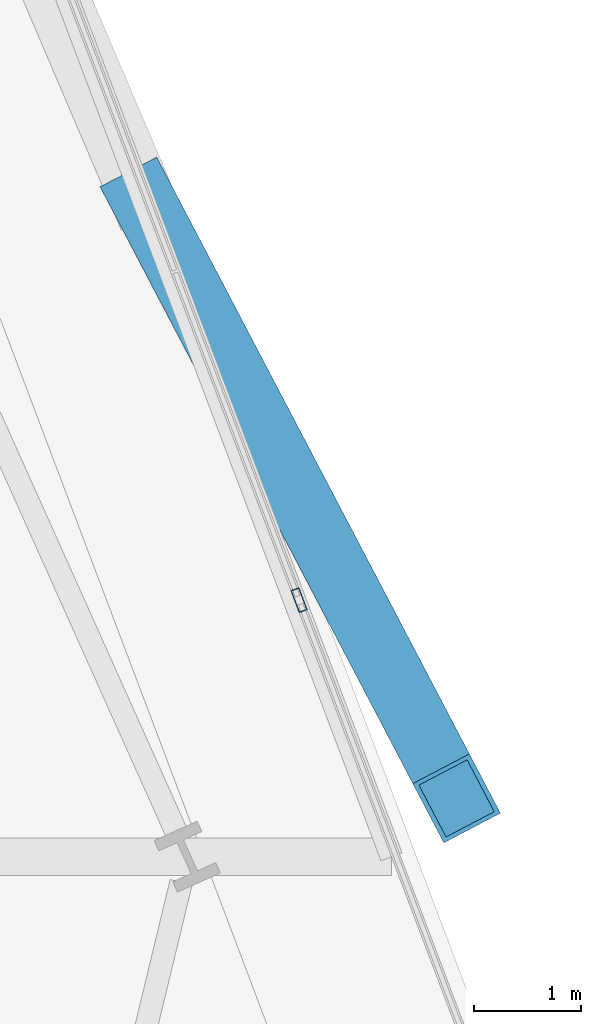
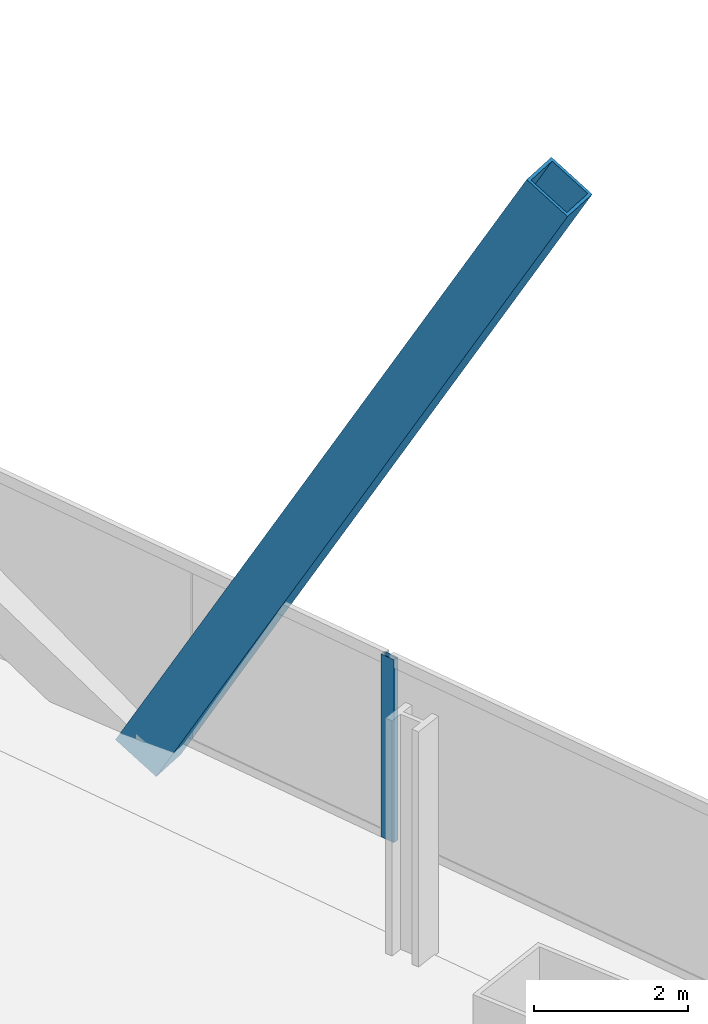
# One storey, part 15 of 37: 2 members, 1 element without a shape of its own.
"""IFC4 building model written with IfcOpenShell, lengths in metres."""

import ifcopenshell
import ifcopenshell.guid

model = None  # the IFC model being written
_history = None  # IfcOwnerHistory: only IFC2X3 demands one
_inside = {}  # id of a spatial element -> (the spatial element, [elements in it])
_under = {}  # id of a project, library or spatial element -> (it, [spatial elements below it])
_declared = {}  # id of a project -> (the project, [libraries it declares])
_typed = {}  # id of a type object -> (the type object, [elements of that type])
_made_of = {}  # id of a material, layer set ... -> (it, [elements and type objects made of it])


def new_model(schema):
    """Start an empty IFC model of exactly this schema.

    Asked for "IFC4X3", IfcOpenShell would pick the latest addendum, in which some entities
    have other attributes; the version numbers below select the first issue.
    IFC2X3 requires an IfcOwnerHistory on every rooted entity: one is made here for all.
    """
    global model, _history
    if schema == "IFC4X3":
        model = ifcopenshell.file(schema_version=(4, 3, 0, 0))
    else:
        model = ifcopenshell.file(schema=schema)
    _inside.clear()
    _under.clear()
    _declared.clear()
    _typed.clear()
    _made_of.clear()
    _history = None
    if model.schema == "IFC2X3":
        org = make("IfcOrganization", Name="unknown")
        user = make(
            "IfcPersonAndOrganization",
            ThePerson=make("IfcPerson", FamilyName="unknown"),
            TheOrganization=org,
        )
        app = make(
            "IfcApplication",
            ApplicationDeveloper=org,
            Version="unknown",
            ApplicationFullName="unknown",
            ApplicationIdentifier="unknown",
        )
        _history = make(
            "IfcOwnerHistory",
            OwningUser=user,
            OwningApplication=app,
            ChangeAction="ADDED",
            CreationDate=0,
        )
    return model


def make(cls, **values):
    """One entity of the class cls with the attributes given. An attribute that is None is left unset."""
    return model.create_entity(
        cls, **{name: value for name, value in values.items() if value is not None}
    )


def rooted(cls, **values):
    """An entity with a GlobalId (a new one), such as an element, a storey or a relation."""
    return make(cls, GlobalId=ifcopenshell.guid.new(), OwnerHistory=_history, **values)


def si_unit(unit_type, name, prefix=None):
    """IfcSIUnit, for example si_unit("LENGTHUNIT", "METRE", prefix="MILLI")."""
    return make("IfcSIUnit", UnitType=unit_type, Prefix=prefix, Name=name)


def assignment(units):
    """IfcUnitAssignment: the units of a project."""
    return None if units is None else make("IfcUnitAssignment", Units=units)


def point(xyz):
    """IfcCartesianPoint."""
    return None if xyz is None else make("IfcCartesianPoint", Coordinates=xyz)


def direction(xyz):
    """IfcDirection."""
    return None if xyz is None else make("IfcDirection", DirectionRatios=xyz)


def frame(location, z_axis=None, x_axis=None):
    """IfcAxis2Placement3D, a coordinate frame: its origin and axes. An axis left out is left unset."""
    return make(
        "IfcAxis2Placement3D",
        Location=point(location),
        Axis=direction(z_axis),
        RefDirection=direction(x_axis),
    )


def frame_2d(location, x_axis=None):
    """IfcAxis2Placement2D, a coordinate frame in the plane: its origin and x axis."""
    return make(
        "IfcAxis2Placement2D", Location=point(location), RefDirection=direction(x_axis)
    )


def origin():
    """The frame at (0, 0, 0) with its axes left unset."""
    return frame((0.0, 0.0, 0.0))


def origin_2d():
    """The frame at (0, 0) in the plane with its x axis left unset."""
    return frame_2d((0.0, 0.0))


def place(relative_to, where):
    """IfcLocalPlacement: puts the frame where relative to a parent placement (None: the world)."""
    return make(
        "IfcLocalPlacement", PlacementRelTo=relative_to, RelativePlacement=where
    )


def context(
    kind, dimensions, precision=None, world=None, true_north=None, identifier=None
):
    """IfcGeometricRepresentationContext, for example the 3D "Model" context."""
    return make(
        "IfcGeometricRepresentationContext",
        ContextIdentifier=identifier,
        ContextType=kind,
        CoordinateSpaceDimension=dimensions,
        Precision=precision,
        WorldCoordinateSystem=world,
        TrueNorth=true_north,
    )


def subcontext(parent, identifier, kind, view, scale=None):
    """IfcGeometricRepresentationSubContext, for example "Body" below "Model"."""
    return make(
        "IfcGeometricRepresentationSubContext",
        ContextIdentifier=identifier,
        ContextType=kind,
        ParentContext=parent,
        TargetScale=scale,
        TargetView=view,
    )


def project(units=None, contexts=None):
    """IfcProject with its units and contexts."""
    return rooted(
        "IfcProject",
        Name="project",
        RepresentationContexts=contexts,
        UnitsInContext=assignment(units),
    )


def spatial(cls, under=None, at=None, **own):
    """A site, building, storey or space (cls), placed at a placement, below another one or the project."""
    s = rooted(cls, ObjectPlacement=at, **own)
    if under is not None:
        _under.setdefault(under.id(), (under, []))[1].append(s)
    return s


def profile(cls, at=None, kind="AREA", **sizes):
    """A parametric profile (cls). Its sizes go by their IFC names, for example OverallWidth=200.0."""
    return make(cls, ProfileType=kind, Position=at, **sizes)


def hollow_rectangle(**sizes):
    """IfcRectangleHollowProfileDef."""
    return profile("IfcRectangleHollowProfileDef", **sizes)


def extrude(swept, where, along, depth):
    """IfcExtrudedAreaSolid: the profile swept, set in the frame where, extruded along a direction by depth."""
    return make(
        "IfcExtrudedAreaSolid",
        SweptArea=swept,
        Position=where,
        ExtrudedDirection=direction(along),
        Depth=depth,
    )


def shape(context_of_items, identifier, shape_type, items):
    """IfcShapeRepresentation: the items that make up one representation, for example the "Body"."""
    return make(
        "IfcShapeRepresentation",
        ContextOfItems=context_of_items,
        RepresentationIdentifier=identifier,
        RepresentationType=shape_type,
        Items=items,
    )


def material(Name=None, Category=None):
    """IfcMaterial."""
    return make("IfcMaterial", Name=Name, Category=Category)


def material_profile(
    of_material, cross_section, Name=None, Category=None, Priority=None
):
    """IfcMaterialProfile: a cross section and its material."""
    return make(
        "IfcMaterialProfile",
        Name=Name,
        Material=of_material,
        Profile=cross_section,
        Priority=Priority,
        Category=Category,
    )


def profile_set(profiles, Name=None, composite=None):
    """IfcMaterialProfileSet."""
    return make(
        "IfcMaterialProfileSet",
        Name=Name,
        MaterialProfiles=profiles,
        CompositeProfile=composite,
    )


def made_of(thing, what):
    """Note that an element or type object is made of a material, layer set ...; save() writes the relation."""
    if what is not None:
        _made_of.setdefault(what.id(), (what, []))[1].append(thing)
    return thing


def type_object(cls, material=None, **own):
    """A type object (cls), such as IfcWallType, which elements share."""
    return made_of(rooted(cls, **own), material)


def element(
    cls,
    number,
    at=None,
    inside=None,
    cuts=None,
    type_object=None,
    material=None,
    context=None,
    identifier="Body",
    shape_type=None,
    held_by="IfcProductDefinitionShape",
    body=None,
    shapes=None,
    **own,
):
    """One element of the class cls, such as IfcWall. Its Tag is "e" and its number.

    at: its placement. inside: the storey or other place that contains it. cuts: it is an
    opening in that element (IfcRelVoidsElement). A single representation is given by context,
    identifier, shape_type and body (its items); several are given by shapes. held_by: the class
    of the entity that holds the representations. save() writes the other relations.
    """
    e = rooted(cls, Tag="e%d" % number, ObjectPlacement=at, **own)
    if body is not None:
        shapes = [shape(context, identifier, shape_type, body)]
    if shapes is not None:
        e.Representation = make(held_by, Representations=shapes)
    if inside is not None:
        _inside.setdefault(inside.id(), (inside, []))[1].append(e)
    if cuts is not None:
        rooted(
            "IfcRelVoidsElement", RelatingBuildingElement=cuts, RelatedOpeningElement=e
        )
    if type_object is not None:
        _typed.setdefault(type_object.id(), (type_object, []))[1].append(e)
    return made_of(e, material)


def aggregate(whole, parts):
    """IfcRelAggregates: a whole, such as a stair, and the parts it consists of."""
    return rooted("IfcRelAggregates", RelatingObject=whole, RelatedObjects=parts)


def save(model, path):
    """Write the relations noted so far, then the file.

    IfcRelAggregates (storeys below a building ...), IfcRelContainedInSpatialStructure (elements
    in a storey), IfcRelDefinesByType, IfcRelAssociatesMaterial and IfcRelDeclares: one each for
    every whole, place, type object, material and project.
    """
    for whole, parts in _under.values():
        aggregate(whole, parts)
    for where, things in _inside.values():
        rooted(
            "IfcRelContainedInSpatialStructure",
            RelatedElements=things,
            RelatingStructure=where,
        )
    for kind, things in _typed.values():
        rooted("IfcRelDefinesByType", RelatedObjects=things, RelatingType=kind)
    for what, things in _made_of.values():
        rooted("IfcRelAssociatesMaterial", RelatedObjects=things, RelatingMaterial=what)
    for by, libraries in _declared.values():
        rooted("IfcRelDeclares", RelatingContext=by, RelatedDefinitions=libraries)
    model.write(path)


model = new_model("IFC4")

# Units and contexts
model_context = context("Model", 3, precision=1e-05, world=origin(), true_north=direction((0.0, 1.0)))
body_context = subcontext(model_context, "Body", "Model", "MODEL_VIEW")
ifc_project = project(units=[si_unit("LENGTHUNIT", "METRE"), si_unit("AREAUNIT", "SQUARE_METRE"), si_unit("VOLUMEUNIT", "CUBIC_METRE"), si_unit("PLANEANGLEUNIT", "RADIAN"), si_unit("MASSUNIT", "GRAM", prefix="KILO")], contexts=[model_context])

# Site, building, storey
site_placement = place(None, origin())
site = spatial("IfcSite", under=ifc_project, at=site_placement, CompositionType="ELEMENT")
building_placement = place(site_placement, origin())
building = spatial("IfcBuilding", under=site, at=building_placement, Name="Haldenkirk Collegiate Tower", CompositionType="ELEMENT")
storey_placement = place(building_placement, frame((0.0, 0.0, 97.949951171875)))
storey = spatial("IfcBuildingStorey", under=building, at=storey_placement, Name="L23", CompositionType="ELEMENT", Elevation=97.949951171875)

# Curtain wall, member
ifc_material_1 = material(Name="Anodised architectural bronze aluminium", Category="aluminium")
curtain_wall_type = type_object("IfcCurtainWallType", Name="CW-SYS1-CONVEX-LOW", PredefinedType="USERDEFINED", material=ifc_material_1)
curtain_wall_placement = place(storey_placement, origin())
curtain_wall = element("IfcCurtainWall", 1, at=curtain_wall_placement, inside=storey, type_object=curtain_wall_type, Name="L23 Lower tower convex bronze-framed unitised curtain wall", ObjectType="UNITISED CURTAIN WALL", PredefinedType="USERDEFINED")
ifc_material_profile_1 = material_profile(ifc_material_1, hollow_rectangle(XDim=0.080078125, YDim=0.219970703125, WallThickness=0.0048828125, at=origin_2d()), Name="CW-MUL-1A")
ifc_profile_set_1 = profile_set([ifc_material_profile_1], Name="Anodised architectural bronze aluminium")
member_type_1 = type_object("IfcMemberType", Name="CW-MUL-1A", PredefinedType="MULLION", material=ifc_profile_set_1)
member_1_placement = place(storey_placement, frame((63.65771484375, 26.135009765625, 0.0), z_axis=(0.0, 0.0, 1.0), x_axis=(0.93544328227, 0.35347682478, 0.0)))
member_1 = element("IfcMember", 2, at=member_1_placement, type_object=member_type_1, Name="CW-1A mullion 4", PredefinedType="MULLION", context=body_context, shape_type="SweptSolid", body=[
    extrude(hollow_rectangle(XDim=0.080078125, YDim=0.219970703125, WallThickness=0.0048828125, at=origin_2d()), origin(), (0.0, 0.0, 1.0), 2.901123046875),
])
aggregate(curtain_wall, [member_1])

# Member
ifc_material_2 = material(Name="Steel ASTM A572 Grade 50", Category="steel")
ifc_material_profile_2 = material_profile(ifc_material_2, hollow_rectangle(XDim=0.60009765625, YDim=0.719970703125, WallThickness=0.044921875, at=origin_2d()), Name="BOX720X600X45")
ifc_profile_set_2 = profile_set([ifc_material_profile_2], Name="Steel ASTM A572 Grade 50")
member_type_2 = type_object("IfcMemberType", Name="MBR-MEGABRACE-BOX720X600X45", PredefinedType="BRACE", material=ifc_profile_set_2)
member_2_placement = place(storey_placement, frame((62.201416015625, 29.875732421875, -0.31005859375), z_axis=(0.227394876578, -0.433998823925, 0.871743420358), x_axis=(0.885779383965, 0.464106542664, 0.0)))
element("IfcMember", 3, at=member_2_placement, inside=storey, type_object=member_type_2, Name="Perimeter Mega Brace Z2 L23-L25 EL", PredefinedType="BRACE", context=body_context, shape_type="SweptSolid", body=[
    extrude(hollow_rectangle(XDim=0.60009765625, YDim=0.719970703125, WallThickness=0.044921875, at=origin_2d()), origin(), (0.0, 0.0, 1.0), 12.9052734375),
])

save(model, "model.ifc")
